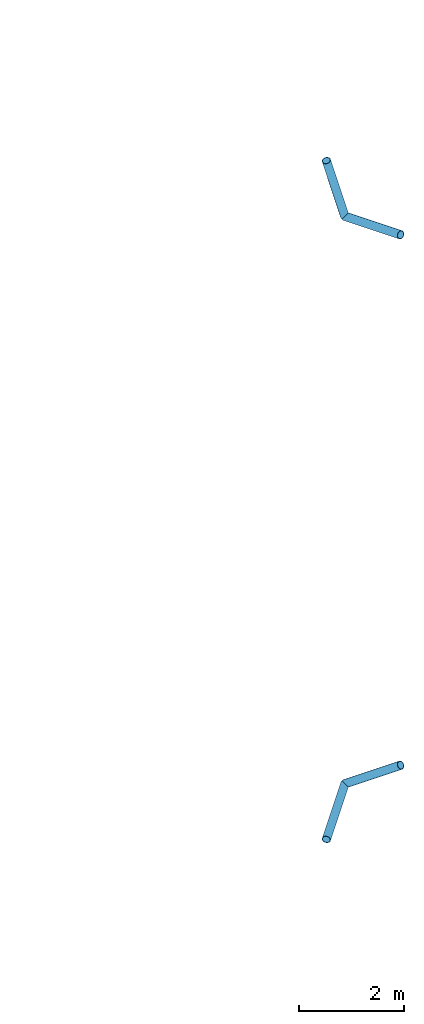
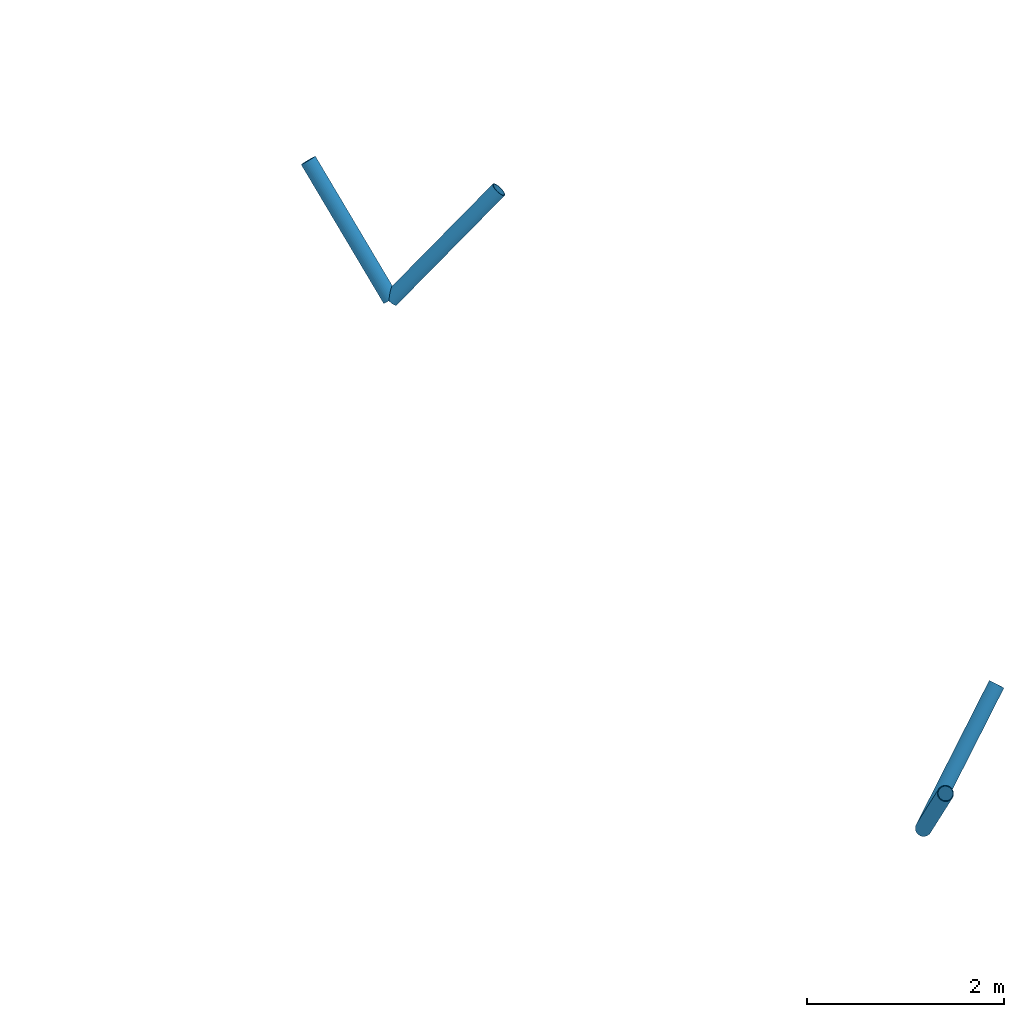
# One storey, part 26 of 56: 4 members.
"""IFC4 building model written with IfcOpenShell, lengths in metres."""

from ifc_helpers import new_model, si_unit, direction, frame, origin, origin_2d, place, context, subcontext, project, spatial, hollow_circle, extrude, material, material_profile, profile_set, type_object, element, save


model = new_model("IFC4")

# Units and contexts
model_context = context("Model", 3, precision=1e-05, world=origin(), true_north=direction((0.0, 1.0)))
body_context = subcontext(model_context, "Body", "Model", "MODEL_VIEW")
ifc_project = project(units=[si_unit("LENGTHUNIT", "METRE"), si_unit("AREAUNIT", "SQUARE_METRE"), si_unit("VOLUMEUNIT", "CUBIC_METRE"), si_unit("PLANEANGLEUNIT", "RADIAN"), si_unit("MASSUNIT", "GRAM", prefix="KILO")], contexts=[model_context])

# Site, building, storey
site_placement = place(None, origin())
site = spatial("IfcSite", under=ifc_project, at=site_placement, CompositionType="ELEMENT")
building_placement = place(site_placement, origin())
building = spatial("IfcBuilding", under=site, at=building_placement, Name="Magnolia Steps Interchange", CompositionType="ELEMENT")
storey_placement = place(building_placement, frame((0.0, 0.0, 8.699951171875)))
storey = spatial("IfcBuildingStorey", under=building, at=storey_placement, Name="L02", CompositionType="ELEMENT", Elevation=8.699951171875)

# Members
ifc_material = material(Name="Steel Q355B", Category="steel")
ifc_material_profile = material_profile(ifc_material, hollow_circle(Radius=0.083984375, WallThickness=0.008056640625, at=origin_2d()), Name="CHS168x8")
ifc_profile_set = profile_set([ifc_material_profile], Name="Steel Q355B")
member_type = type_object("IfcMemberType", Name="Mast spreader CHS168x8", PredefinedType="USERDEFINED", material=ifc_profile_set)
member_1_placement = place(storey_placement, frame((172.0, 53.199951171875, 3.268798828125), z_axis=(0.646738869576, 0.215678854319, 0.731581483076), x_axis=(-0.316358760418, 0.948639623201, 0.0)))
element("IfcMember", 1, at=member_1_placement, inside=storey, type_object=member_type, Name="Mast spreader SP-C-SE-1", ObjectType="Mast spreader", PredefinedType="USERDEFINED", context=body_context, shape_type="SweptSolid", body=[
    extrude(hollow_circle(Radius=0.083984375, WallThickness=0.008056640625, at=origin_2d()), origin(), (0.0, 0.0, 1.0), 1.64013671875),
])
member_2_placement = place(storey_placement, frame((172.0, 53.199951171875, 3.268798828125), z_axis=(-0.215557675341, -0.646673026024, 0.731675396617), x_axis=(0.948683298051, -0.316227766017, 0.0)))
element("IfcMember", 2, at=member_2_placement, inside=storey, type_object=member_type, Name="Mast spreader SP-C-SE-2", ObjectType="Mast spreader", PredefinedType="USERDEFINED", context=body_context, shape_type="SweptSolid", body=[
    extrude(hollow_circle(Radius=0.083984375, WallThickness=0.008056640625, at=origin_2d()), origin(), (0.0, 0.0, 1.0), 1.639892578125),
])
for number, where, z_axis, x_axis, name in (
    (3, (172.0, 64.0, 3.268798828125), (-0.215536924752, 0.646759625723, 0.731604962123), (-0.948705130199, -0.316162262032, 0.0), "Mast spreader SP-C-NE-1"),
    (4, (172.0, 64.0, 3.268798828125), (0.646759625723, -0.215536924752, 0.731604962123), (0.316162262032, 0.948705130199, 0.0), "Mast spreader SP-C-NE-2"),
):
    element("IfcMember", number, at=place(storey_placement, frame(where, z_axis=z_axis, x_axis=x_axis)), inside=storey, type_object=member_type, Name=name, ObjectType="Mast spreader", PredefinedType="USERDEFINED", context=body_context, shape_type="SweptSolid", body=[
        extrude(hollow_circle(Radius=0.083984375, WallThickness=0.008056640625, at=origin_2d()), origin(), (0.0, 0.0, 1.0), 1.64013671875),
    ])

save(model, "model.ifc")
